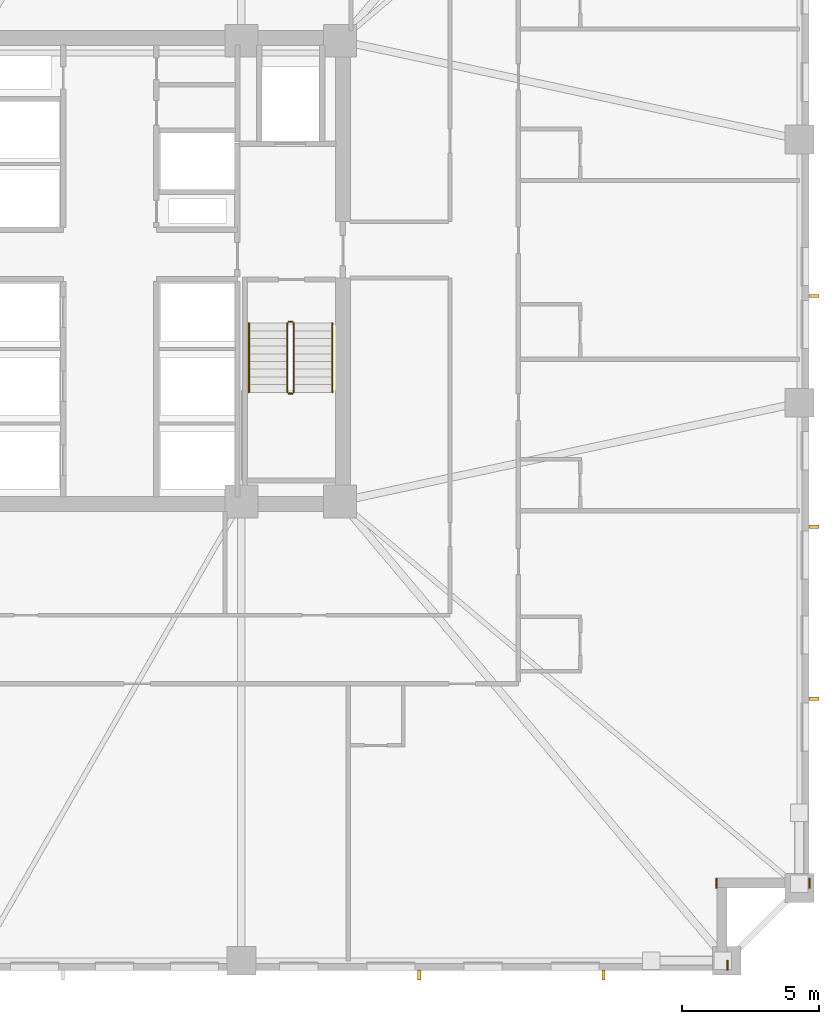
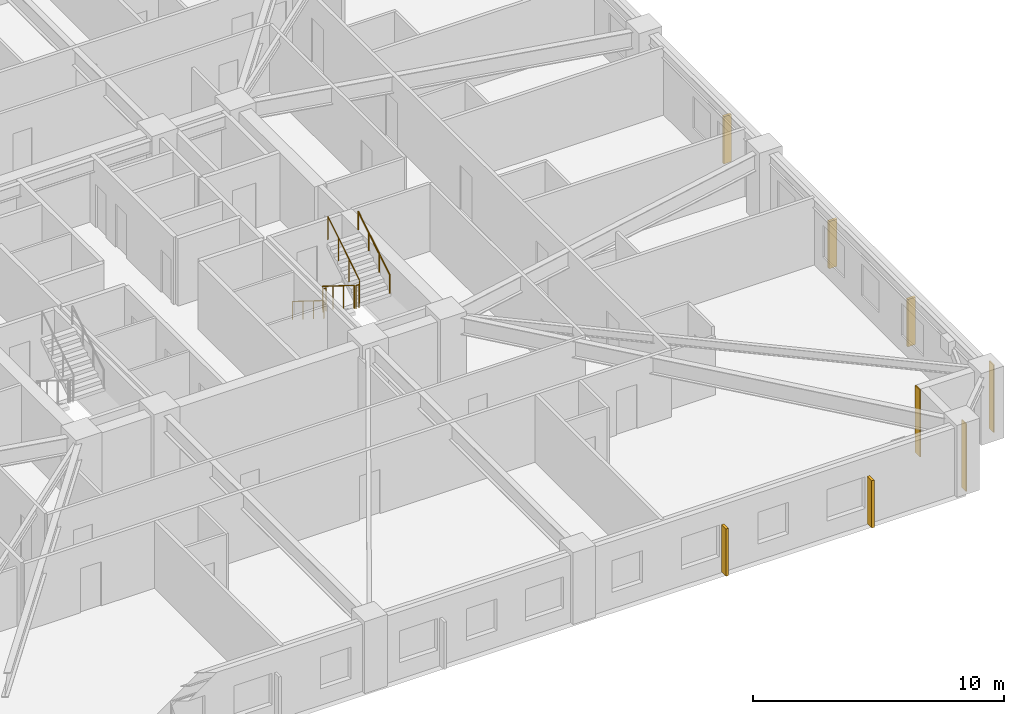
# One storey, part 9 of 11: 6 railings, 5 shading devices, 3 coverings.
"""IFC4 building model written with IfcOpenShell, lengths in metres."""

from ifc_helpers import new_model, si_unit, direction, frame, frame_2d, origin, origin_2d, place, context, subcontext, project, spatial, rectangle, circle, extrude, material, layer, layer_set, type_object, element, save


model = new_model("IFC4")

# Units and contexts
model_context = context("Model", 3, precision=1e-05, world=origin(), true_north=direction((0.0, 1.0)))
body_context = subcontext(model_context, "Body", "Model", "MODEL_VIEW")
ifc_project = project(units=[si_unit("LENGTHUNIT", "METRE"), si_unit("AREAUNIT", "SQUARE_METRE"), si_unit("VOLUMEUNIT", "CUBIC_METRE"), si_unit("PLANEANGLEUNIT", "RADIAN"), si_unit("MASSUNIT", "GRAM", prefix="KILO")], contexts=[model_context])

# Site, building, storey
site_placement = place(None, origin())
site = spatial("IfcSite", under=ifc_project, at=site_placement, CompositionType="ELEMENT")
building_placement = place(site_placement, origin())
building = spatial("IfcBuilding", under=site, at=building_placement, Name="Cairnveth Concourse Tower", CompositionType="ELEMENT")
storey_placement = place(building_placement, frame((0.0, 0.0, 86.5)))
storey = spatial("IfcBuildingStorey", under=building, at=storey_placement, Name="L23", CompositionType="ELEMENT", Elevation=86.5)

# Coverings
ifc_material_1 = material(Name="Dressed Melbourne Bluestone Cladding", Category="masonry")
ifc_layer = layer(ifc_material_1, 0.050048828125)
ifc_layer_set = layer_set([ifc_layer], Name="Dressed Melbourne Bluestone Cladding")
covering_type = type_object("IfcCoveringType", Name="DRESSED BLUESTONE PLINTH CLADDING 50", PredefinedType="CLADDING", material=ifc_layer_set)
for number, where, z_axis, x_axis, name in (
    (1, (77.52001953125, 16.860107421875, 0.0), (0.0, 0.0, 1.0), (0.0, -1.0, 0.0), "Melbourne Bluestone Corner Quoin L23-315"),
    (2, (74.1201171875, 16.860107421875, 0.0), (0.0, 0.0, 1.0), (0.0, -1.0, 0.0), "Melbourne Bluestone Corner Quoin L23-316"),
    (3, (74.52001953125, 13.860107421875, 0.0), (0.0, 0.0, 1.0), (0.0, -1.0, 0.0), "Melbourne Bluestone Corner Quoin L23-317"),
):
    element("IfcCovering", number, at=place(storey_placement, frame(where, z_axis=z_axis, x_axis=x_axis)), inside=storey, type_object=covering_type, Name=name, PredefinedType="CLADDING", context=body_context, shape_type="SweptSolid", body=[
        extrude(rectangle(XDim=0.360107421875, YDim=0.050048828125, at=frame_2d((0.18017578125, 0.0))), origin(), (0.0, 0.0, 1.0), 3.280029296875),
    ])

# Shading devices
ifc_material_2 = material(Name="Architectural Bronze Anodised Aluminium 6063-T6", Category="aluminium")
shading_device_type = type_object("IfcShadingDeviceType", Name="GOTHIC BRONZE VERTICAL LANCET FIN", PredefinedType="USERDEFINED", material=ifc_material_2)
for number, where, z_axis, x_axis, name in (
    (4, (77.675048828125, 38.09375, 0.02978515625), (0.0, 0.0, 1.0), (0.0, 1.0, 0.0), "Gothic Bronze Vertical Fin L23-3-7"),
    (5, (77.675048828125, 29.673583984375, 0.02978515625), (0.0, 0.0, 1.0), (0.0, 1.0, 0.0), "Gothic Bronze Vertical Fin L23-3-9"),
    (6, (77.675048828125, 23.403076171875, 0.02978515625), (0.0, 0.0, 1.0), (0.0, 1.0, 0.0), "Gothic Bronze Vertical Fin L23-3-11"),
    (7, (70.0048828125, 13.324951171875, 0.02978515625), (0.0, 0.0, 1.0), (1.0, 0.0, 0.0), "Gothic Bronze Vertical Fin L23-6-1"),
    (8, (63.284423828125, 13.324951171875, 0.02978515625), (0.0, 0.0, 1.0), (1.0, 0.0, 0.0), "Gothic Bronze Vertical Fin L23-6-3"),
):
    element("IfcShadingDevice", number, at=place(storey_placement, frame(where, z_axis=z_axis, x_axis=x_axis)), inside=storey, type_object=shading_device_type, Name=name, ObjectType="VERTICAL FIN", PredefinedType="USERDEFINED", context=body_context, shape_type="SweptSolid", body=[
        extrude(rectangle(XDim=0.1201171875, YDim=0.360107421875, at=origin_2d()), origin(), (0.0, 0.0, 1.0), 2.303955078125),
    ])

# Railings
ifc_material_3 = material(Name="Steel Grade 350", Category="steel")
railing_type_1 = type_object("IfcRailingType", Name="STAIR GUARDRAIL 1150", PredefinedType="GUARDRAIL", material=ifc_material_3)
railing_1_placement = place(storey_placement, frame((58.469970703125, 37.10009765625, 0.175048828125)))
element("IfcRailing", 9, at=railing_1_placement, inside=storey, type_object=railing_type_1, Name="L23 ST-2 stair guard 1", PredefinedType="GUARDRAIL", context=body_context, shape_type="SweptSolid", body=[
    extrude(circle(Radius=0.02392578125, at=origin_2d()), frame((0.0, 0.0, 1.1259765625), z_axis=(0.0, -0.848007534815, 0.529984170421), x_axis=(1.0, 0.0, 0.0)), (0.0, 0.0, 1.0), 2.9716796875),
    extrude(circle(Radius=0.02099609375, at=origin_2d()), origin(), (0.0, 0.0, 1.0), 1.101806640625),
    extrude(circle(Radius=0.02099609375, at=origin_2d()), frame((0.0, -0.840087890625, 0.52490234375)), (0.0, 0.0, 1.0), 1.101806640625),
    extrude(circle(Radius=0.02099609375, at=origin_2d()), frame((0.0, -1.679931640625, 1.050048828125)), (0.0, 0.0, 1.0), 1.101806640625),
    extrude(circle(Radius=0.02099609375, at=origin_2d()), frame((0.0, -2.52001953125, 1.574951171875)), (0.0, 0.0, 1.0), 1.101806640625),
])
railing_2_placement = place(storey_placement, frame((58.52001953125, 34.530029296875, 1.75)))
element("IfcRailing", 10, at=railing_2_placement, inside=storey, type_object=railing_type_1, Name="L23 ST-2 stair guard 2", PredefinedType="GUARDRAIL", context=body_context, shape_type="SweptSolid", body=[
    extrude(circle(Radius=0.02392578125, at=origin_2d()), frame((0.0, 0.0, 1.1259765625), z_axis=(1.0, 0.0, 0.0), x_axis=(0.0, 1.0, 0.0)), (0.0, 0.0, 1.0), 0.139892578125),
    extrude(circle(Radius=0.02099609375, at=origin_2d()), origin(), (0.0, 0.0, 1.0), 1.101806640625),
    extrude(circle(Radius=0.02099609375, at=origin_2d()), frame((0.139892578125, 0.0, 0.0)), (0.0, 0.0, 1.0), 1.101806640625),
])
railing_3_placement = place(storey_placement, frame((58.7099609375, 34.580078125, 1.925048828125)))
element("IfcRailing", 11, at=railing_3_placement, inside=storey, type_object=railing_type_1, Name="L23 ST-2 stair guard 3", PredefinedType="GUARDRAIL", context=body_context, shape_type="SweptSolid", body=[
    extrude(circle(Radius=0.02392578125, at=origin_2d()), frame((0.0, 0.0, 1.1259765625), z_axis=(0.0, 0.848007534815, 0.529984170421), x_axis=(-1.0, 0.0, 0.0)), (0.0, 0.0, 1.0), 2.9716796875),
    extrude(circle(Radius=0.02099609375, at=origin_2d()), origin(), (0.0, 0.0, 1.0), 1.101806640625),
    extrude(circle(Radius=0.02099609375, at=origin_2d()), frame((0.0, 0.840087890625, 0.52490234375)), (0.0, 0.0, 1.0), 1.101806640625),
    extrude(circle(Radius=0.02099609375, at=origin_2d()), frame((0.0, 1.679931640625, 1.050048828125)), (0.0, 0.0, 1.0), 1.101806640625),
    extrude(circle(Radius=0.02099609375, at=origin_2d()), frame((0.0, 2.52001953125, 1.574951171875)), (0.0, 0.0, 1.0), 1.101806640625),
])
railing_4_placement = place(storey_placement, frame((58.52001953125, 37.14990234375, 0.0)))
element("IfcRailing", 12, at=railing_4_placement, inside=storey, type_object=railing_type_1, Name="L23 ST-2 stair guard 4", PredefinedType="GUARDRAIL", context=body_context, shape_type="SweptSolid", body=[
    extrude(circle(Radius=0.02392578125, at=origin_2d()), frame((0.0, 0.0, 1.1259765625), z_axis=(1.0, 0.0, 0.0), x_axis=(0.0, 1.0, 0.0)), (0.0, 0.0, 1.0), 0.139892578125),
    extrude(circle(Radius=0.02099609375, at=origin_2d()), origin(), (0.0, 0.0, 1.0), 1.101806640625),
    extrude(circle(Radius=0.02099609375, at=origin_2d()), frame((0.139892578125, 0.0, 0.0)), (0.0, 0.0, 1.0), 1.101806640625),
])
railing_type_2 = type_object("IfcRailingType", Name="STAIR WALL HANDRAIL 900", PredefinedType="HANDRAIL", material=ifc_material_3)
railing_5_placement = place(storey_placement, frame((57.070068359375, 37.10009765625, 0.175048828125)))
element("IfcRailing", 13, at=railing_5_placement, inside=storey, type_object=railing_type_2, Name="L23 ST-2 stair handrail 1", PredefinedType="HANDRAIL", context=body_context, shape_type="SweptSolid", body=[
    extrude(circle(Radius=0.02392578125, at=origin_2d()), frame((0.0, 0.0, 0.8759765625), z_axis=(0.0, -0.848007534815, 0.529984170421), x_axis=(1.0, 0.0, 0.0)), (0.0, 0.0, 1.0), 2.9716796875),
    extrude(circle(Radius=0.02099609375, at=origin_2d()), origin(), (0.0, 0.0, 1.0), 0.851806640625),
    extrude(circle(Radius=0.02099609375, at=origin_2d()), frame((0.0, -0.840087890625, 0.52490234375)), (0.0, 0.0, 1.0), 0.851806640625),
    extrude(circle(Radius=0.02099609375, at=origin_2d()), frame((0.0, -1.679931640625, 1.050048828125)), (0.0, 0.0, 1.0), 0.851806640625),
    extrude(circle(Radius=0.02099609375, at=origin_2d()), frame((0.0, -2.52001953125, 1.574951171875)), (0.0, 0.0, 1.0), 0.851806640625),
])
railing_6_placement = place(storey_placement, frame((60.110107421875, 34.580078125, 1.925048828125)))
element("IfcRailing", 14, at=railing_6_placement, inside=storey, type_object=railing_type_2, Name="L23 ST-2 stair handrail 2", PredefinedType="HANDRAIL", context=body_context, shape_type="SweptSolid", body=[
    extrude(circle(Radius=0.02392578125, at=origin_2d()), frame((0.0, 0.0, 0.8759765625), z_axis=(0.0, 0.848007534815, 0.529984170421), x_axis=(-1.0, 0.0, 0.0)), (0.0, 0.0, 1.0), 2.9716796875),
    extrude(circle(Radius=0.02099609375, at=origin_2d()), origin(), (0.0, 0.0, 1.0), 0.851806640625),
    extrude(circle(Radius=0.02099609375, at=origin_2d()), frame((0.0, 0.840087890625, 0.52490234375)), (0.0, 0.0, 1.0), 0.851806640625),
    extrude(circle(Radius=0.02099609375, at=origin_2d()), frame((0.0, 1.679931640625, 1.050048828125)), (0.0, 0.0, 1.0), 0.851806640625),
    extrude(circle(Radius=0.02099609375, at=origin_2d()), frame((0.0, 2.52001953125, 1.574951171875)), (0.0, 0.0, 1.0), 0.851806640625),
])

save(model, "model.ifc")
